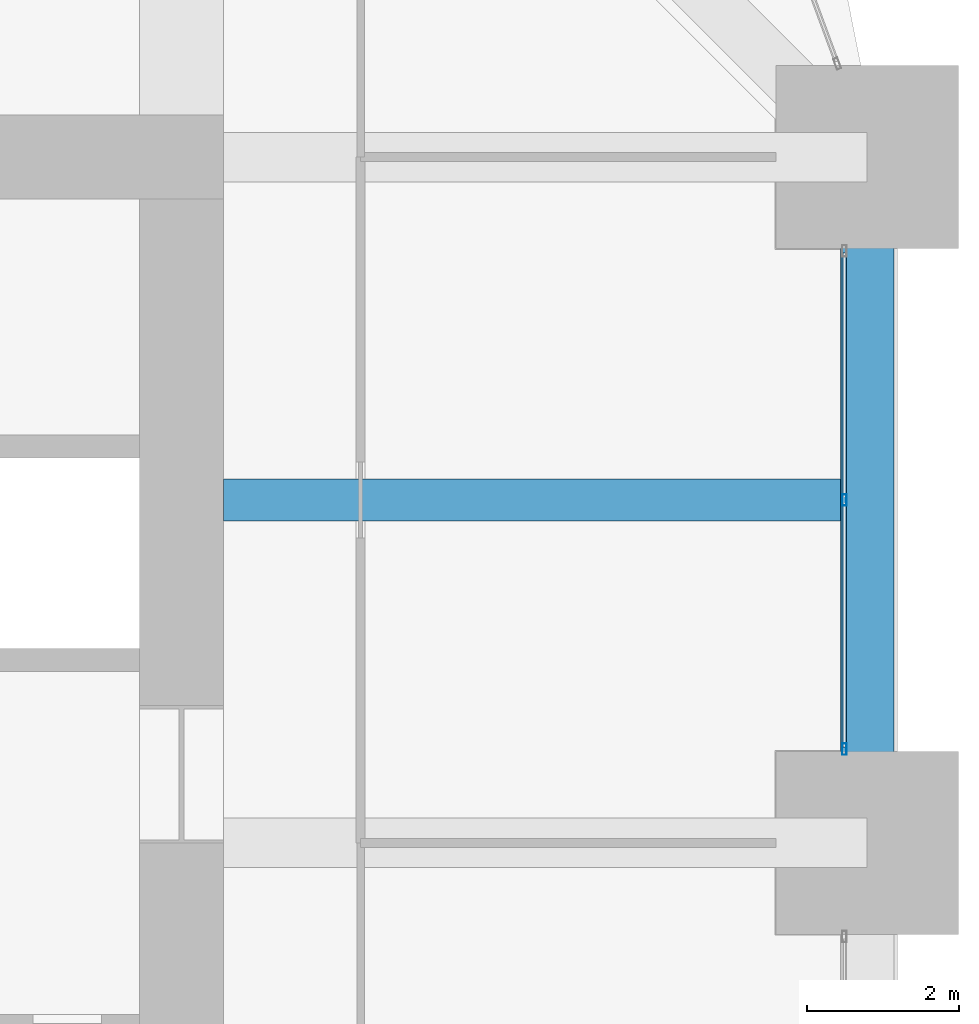
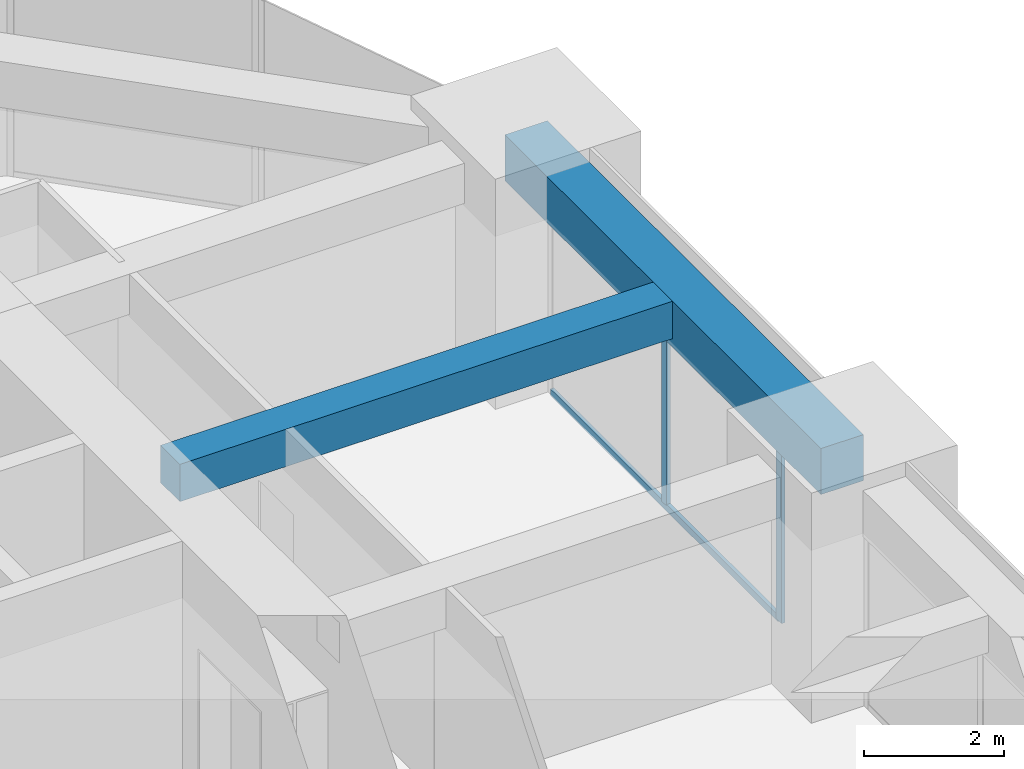
# One storey, part 19 of 32: 3 members, 2 beams, 1 element without a shape of its own.
"""IFC4 building model written with IfcOpenShell, lengths in metres."""

import ifcopenshell
import ifcopenshell.guid

model = None  # the IFC model being written
_history = None  # IfcOwnerHistory: only IFC2X3 demands one
_inside = {}  # id of a spatial element -> (the spatial element, [elements in it])
_under = {}  # id of a project, library or spatial element -> (it, [spatial elements below it])
_declared = {}  # id of a project -> (the project, [libraries it declares])
_typed = {}  # id of a type object -> (the type object, [elements of that type])
_made_of = {}  # id of a material, layer set ... -> (it, [elements and type objects made of it])


def new_model(schema):
    """Start an empty IFC model of exactly this schema.

    Asked for "IFC4X3", IfcOpenShell would pick the latest addendum, in which some entities
    have other attributes; the version numbers below select the first issue.
    IFC2X3 requires an IfcOwnerHistory on every rooted entity: one is made here for all.
    """
    global model, _history
    if schema == "IFC4X3":
        model = ifcopenshell.file(schema_version=(4, 3, 0, 0))
    else:
        model = ifcopenshell.file(schema=schema)
    _inside.clear()
    _under.clear()
    _declared.clear()
    _typed.clear()
    _made_of.clear()
    _history = None
    if model.schema == "IFC2X3":
        org = make("IfcOrganization", Name="unknown")
        user = make(
            "IfcPersonAndOrganization",
            ThePerson=make("IfcPerson", FamilyName="unknown"),
            TheOrganization=org,
        )
        app = make(
            "IfcApplication",
            ApplicationDeveloper=org,
            Version="unknown",
            ApplicationFullName="unknown",
            ApplicationIdentifier="unknown",
        )
        _history = make(
            "IfcOwnerHistory",
            OwningUser=user,
            OwningApplication=app,
            ChangeAction="ADDED",
            CreationDate=0,
        )
    return model


def make(cls, **values):
    """One entity of the class cls with the attributes given. An attribute that is None is left unset."""
    return model.create_entity(
        cls, **{name: value for name, value in values.items() if value is not None}
    )


def rooted(cls, **values):
    """An entity with a GlobalId (a new one), such as an element, a storey or a relation."""
    return make(cls, GlobalId=ifcopenshell.guid.new(), OwnerHistory=_history, **values)


def si_unit(unit_type, name, prefix=None):
    """IfcSIUnit, for example si_unit("LENGTHUNIT", "METRE", prefix="MILLI")."""
    return make("IfcSIUnit", UnitType=unit_type, Prefix=prefix, Name=name)


def assignment(units):
    """IfcUnitAssignment: the units of a project."""
    return None if units is None else make("IfcUnitAssignment", Units=units)


def point(xyz):
    """IfcCartesianPoint."""
    return None if xyz is None else make("IfcCartesianPoint", Coordinates=xyz)


def direction(xyz):
    """IfcDirection."""
    return None if xyz is None else make("IfcDirection", DirectionRatios=xyz)


def frame(location, z_axis=None, x_axis=None):
    """IfcAxis2Placement3D, a coordinate frame: its origin and axes. An axis left out is left unset."""
    return make(
        "IfcAxis2Placement3D",
        Location=point(location),
        Axis=direction(z_axis),
        RefDirection=direction(x_axis),
    )


def frame_2d(location, x_axis=None):
    """IfcAxis2Placement2D, a coordinate frame in the plane: its origin and x axis."""
    return make(
        "IfcAxis2Placement2D", Location=point(location), RefDirection=direction(x_axis)
    )


def origin():
    """The frame at (0, 0, 0) with its axes left unset."""
    return frame((0.0, 0.0, 0.0))


def origin_2d():
    """The frame at (0, 0) in the plane with its x axis left unset."""
    return frame_2d((0.0, 0.0))


def place(relative_to, where):
    """IfcLocalPlacement: puts the frame where relative to a parent placement (None: the world)."""
    return make(
        "IfcLocalPlacement", PlacementRelTo=relative_to, RelativePlacement=where
    )


def context(
    kind, dimensions, precision=None, world=None, true_north=None, identifier=None
):
    """IfcGeometricRepresentationContext, for example the 3D "Model" context."""
    return make(
        "IfcGeometricRepresentationContext",
        ContextIdentifier=identifier,
        ContextType=kind,
        CoordinateSpaceDimension=dimensions,
        Precision=precision,
        WorldCoordinateSystem=world,
        TrueNorth=true_north,
    )


def subcontext(parent, identifier, kind, view, scale=None):
    """IfcGeometricRepresentationSubContext, for example "Body" below "Model"."""
    return make(
        "IfcGeometricRepresentationSubContext",
        ContextIdentifier=identifier,
        ContextType=kind,
        ParentContext=parent,
        TargetScale=scale,
        TargetView=view,
    )


def project(units=None, contexts=None):
    """IfcProject with its units and contexts."""
    return rooted(
        "IfcProject",
        Name="project",
        RepresentationContexts=contexts,
        UnitsInContext=assignment(units),
    )


def spatial(cls, under=None, at=None, **own):
    """A site, building, storey or space (cls), placed at a placement, below another one or the project."""
    s = rooted(cls, ObjectPlacement=at, **own)
    if under is not None:
        _under.setdefault(under.id(), (under, []))[1].append(s)
    return s


def profile(cls, at=None, kind="AREA", **sizes):
    """A parametric profile (cls). Its sizes go by their IFC names, for example OverallWidth=200.0."""
    return make(cls, ProfileType=kind, Position=at, **sizes)


def rectangle(**sizes):
    """IfcRectangleProfileDef."""
    return profile("IfcRectangleProfileDef", **sizes)


def hollow_rectangle(**sizes):
    """IfcRectangleHollowProfileDef."""
    return profile("IfcRectangleHollowProfileDef", **sizes)


def extrude(swept, where, along, depth):
    """IfcExtrudedAreaSolid: the profile swept, set in the frame where, extruded along a direction by depth."""
    return make(
        "IfcExtrudedAreaSolid",
        SweptArea=swept,
        Position=where,
        ExtrudedDirection=direction(along),
        Depth=depth,
    )


def shape(context_of_items, identifier, shape_type, items):
    """IfcShapeRepresentation: the items that make up one representation, for example the "Body"."""
    return make(
        "IfcShapeRepresentation",
        ContextOfItems=context_of_items,
        RepresentationIdentifier=identifier,
        RepresentationType=shape_type,
        Items=items,
    )


def material(Name=None, Category=None):
    """IfcMaterial."""
    return make("IfcMaterial", Name=Name, Category=Category)


def material_profile(
    of_material, cross_section, Name=None, Category=None, Priority=None
):
    """IfcMaterialProfile: a cross section and its material."""
    return make(
        "IfcMaterialProfile",
        Name=Name,
        Material=of_material,
        Profile=cross_section,
        Priority=Priority,
        Category=Category,
    )


def profile_set(profiles, Name=None, composite=None):
    """IfcMaterialProfileSet."""
    return make(
        "IfcMaterialProfileSet",
        Name=Name,
        MaterialProfiles=profiles,
        CompositeProfile=composite,
    )


def made_of(thing, what):
    """Note that an element or type object is made of a material, layer set ...; save() writes the relation."""
    if what is not None:
        _made_of.setdefault(what.id(), (what, []))[1].append(thing)
    return thing


def type_object(cls, material=None, **own):
    """A type object (cls), such as IfcWallType, which elements share."""
    return made_of(rooted(cls, **own), material)


def element(
    cls,
    number,
    at=None,
    inside=None,
    cuts=None,
    type_object=None,
    material=None,
    context=None,
    identifier="Body",
    shape_type=None,
    held_by="IfcProductDefinitionShape",
    body=None,
    shapes=None,
    **own,
):
    """One element of the class cls, such as IfcWall. Its Tag is "e" and its number.

    at: its placement. inside: the storey or other place that contains it. cuts: it is an
    opening in that element (IfcRelVoidsElement). A single representation is given by context,
    identifier, shape_type and body (its items); several are given by shapes. held_by: the class
    of the entity that holds the representations. save() writes the other relations.
    """
    e = rooted(cls, Tag="e%d" % number, ObjectPlacement=at, **own)
    if body is not None:
        shapes = [shape(context, identifier, shape_type, body)]
    if shapes is not None:
        e.Representation = make(held_by, Representations=shapes)
    if inside is not None:
        _inside.setdefault(inside.id(), (inside, []))[1].append(e)
    if cuts is not None:
        rooted(
            "IfcRelVoidsElement", RelatingBuildingElement=cuts, RelatedOpeningElement=e
        )
    if type_object is not None:
        _typed.setdefault(type_object.id(), (type_object, []))[1].append(e)
    return made_of(e, material)


def aggregate(whole, parts):
    """IfcRelAggregates: a whole, such as a stair, and the parts it consists of."""
    return rooted("IfcRelAggregates", RelatingObject=whole, RelatedObjects=parts)


def save(model, path):
    """Write the relations noted so far, then the file.

    IfcRelAggregates (storeys below a building ...), IfcRelContainedInSpatialStructure (elements
    in a storey), IfcRelDefinesByType, IfcRelAssociatesMaterial and IfcRelDeclares: one each for
    every whole, place, type object, material and project.
    """
    for whole, parts in _under.values():
        aggregate(whole, parts)
    for where, things in _inside.values():
        rooted(
            "IfcRelContainedInSpatialStructure",
            RelatedElements=things,
            RelatingStructure=where,
        )
    for kind, things in _typed.values():
        rooted("IfcRelDefinesByType", RelatedObjects=things, RelatingType=kind)
    for what, things in _made_of.values():
        rooted("IfcRelAssociatesMaterial", RelatedObjects=things, RelatingMaterial=what)
    for by, libraries in _declared.values():
        rooted("IfcRelDeclares", RelatingContext=by, RelatedDefinitions=libraries)
    model.write(path)


model = new_model("IFC4")

# Units and contexts
model_context = context("Model", 3, precision=1e-05, world=origin(), true_north=direction((0.0, 1.0)))
body_context = subcontext(model_context, "Body", "Model", "MODEL_VIEW")
ifc_project = project(units=[si_unit("LENGTHUNIT", "METRE"), si_unit("AREAUNIT", "SQUARE_METRE"), si_unit("VOLUMEUNIT", "CUBIC_METRE"), si_unit("PLANEANGLEUNIT", "RADIAN"), si_unit("MASSUNIT", "GRAM", prefix="KILO")], contexts=[model_context])

# Site, building, storey
site_placement = place(None, origin())
site = spatial("IfcSite", under=ifc_project, at=site_placement, CompositionType="ELEMENT")
building_placement = place(site_placement, origin())
building = spatial("IfcBuilding", under=site, at=building_placement, Name="Zorevar Civic Tower", CompositionType="ELEMENT")
storey_placement = place(building_placement, frame((0.0, 0.0, 202.199951171875)))
storey = spatial("IfcBuildingStorey", under=building, at=storey_placement, Name="L49", CompositionType="ELEMENT", Elevation=202.199951171875)

# Beam
ifc_material_1 = material(Name="Concrete C50/60", Category="concrete")
ifc_material_profile_1 = material_profile(ifc_material_1, rectangle(XDim=0.550048828125, YDim=0.64990234375, at=origin_2d()), Name="RC 550x650")
ifc_profile_set_1 = profile_set([ifc_material_profile_1], Name="Concrete C50/60")
beam_type_1 = type_object("IfcBeamType", Name="Beam RC 550x650", PredefinedType="BEAM", material=ifc_profile_set_1)
beam_1_placement = place(storey_placement, frame((45.550048828125, 31.5, 3.425048828125), z_axis=(1.0, 0.0, 0.0), x_axis=(0.0, 1.0, 0.0)))
element("IfcBeam", 1, at=beam_1_placement, inside=storey, type_object=beam_type_1, Name="Secondary beam L50", PredefinedType="BEAM", context=body_context, shape_type="SweptSolid", body=[
    extrude(rectangle(XDim=0.550048828125, YDim=0.64990234375, at=origin_2d()), origin(), (0.0, 0.0, 1.0), 8.099853515625),
])

# Curtain wall, members
ifc_material_2 = material(Name="Dark grey solar-control glass in black aluminium frame", Category="aluminium")
curtain_wall_type = type_object("IfcCurtainWallType", Name="Curtain wall CW4 high zone", PredefinedType="NOTDEFINED", material=ifc_material_2)
curtain_wall_placement = place(storey_placement, origin())
curtain_wall = element("IfcCurtainWall", 2, at=curtain_wall_placement, inside=storey, type_object=curtain_wall_type, Name="CW4 L49", PredefinedType="NOTDEFINED")
ifc_material_3 = material(Name="Aluminium, black anodised", Category="aluminium")
ifc_material_profile_2 = material_profile(ifc_material_3, hollow_rectangle(XDim=0.06005859375, YDim=0.14990234375, WallThickness=0.00390625, at=origin_2d()), Name="AL 150x60x4")
ifc_profile_set_2 = profile_set([ifc_material_profile_2], Name="Aluminium, black anodised")
member_type_1 = type_object("IfcMemberType", Name="CW4 mullion AL 150x60x4", PredefinedType="MULLION", material=ifc_profile_set_2)
member_1_placement = place(storey_placement, frame((53.699951171875, 28.22998046875, 0.0), z_axis=(0.0, 0.0, 1.0), x_axis=(-1.0, 0.0, 0.0)))
member_1 = element("IfcMember", 3, at=member_1_placement, type_object=member_type_1, Name="CW4 mullion 1", PredefinedType="MULLION", context=body_context, shape_type="SweptSolid", body=[
    extrude(hollow_rectangle(XDim=0.06005859375, YDim=0.14990234375, WallThickness=0.00390625, at=origin_2d()), origin(), (0.0, 0.0, 1.0), 2.949951171875),
])
member_2_placement = place(storey_placement, frame((53.699951171875, 31.5, 0.06005859375), z_axis=(0.0, 0.0, 1.0), x_axis=(-1.0, 0.0, 0.0)))
member_2 = element("IfcMember", 4, at=member_2_placement, type_object=member_type_1, Name="CW4 mullion 2", PredefinedType="MULLION", context=body_context, shape_type="SweptSolid", body=[
    extrude(hollow_rectangle(XDim=0.06005859375, YDim=0.14990234375, WallThickness=0.00390625, at=origin_2d()), origin(), (0.0, 0.0, 1.0), 2.889892578125),
])
ifc_material_4 = material(Name="Aluminium, black anodised", Category="aluminium")
ifc_material_profile_3 = material_profile(ifc_material_4, hollow_rectangle(XDim=0.06005859375, YDim=0.1201171875, WallThickness=0.0029296875, at=origin_2d()), Name="AL 120x60x3")
ifc_profile_set_3 = profile_set([ifc_material_profile_3], Name="Aluminium, black anodised")
member_type_2 = type_object("IfcMemberType", Name="CW4 transom AL 120x60x3", PredefinedType="USERDEFINED", material=ifc_profile_set_3)
member_3_placement = place(storey_placement, frame((53.699951171875, 28.260009765625, 0.030029296875), z_axis=(0.0, 1.0, 0.0), x_axis=(-1.0, 0.0, 0.0)))
member_3 = element("IfcMember", 5, at=member_3_placement, type_object=member_type_2, Name="CW4 sill transom", ObjectType="TRANSOM", PredefinedType="USERDEFINED", context=body_context, shape_type="SweptSolid", body=[
    extrude(hollow_rectangle(XDim=0.06005859375, YDim=0.1201171875, WallThickness=0.0029296875, at=origin_2d()), origin(), (0.0, 0.0, 1.0), 6.47998046875),
])
aggregate(curtain_wall, [member_1, member_2, member_3])

# Beam
ifc_material_5 = material(Name="Concrete C50/60", Category="concrete")
ifc_material_profile_4 = material_profile(ifc_material_5, rectangle(XDim=0.699951171875, YDim=0.800048828125, at=origin_2d()), Name="RC 700x800")
ifc_profile_set_4 = profile_set([ifc_material_profile_4], Name="Concrete C50/60")
beam_type_2 = type_object("IfcBeamType", Name="Edge beam RC 700x800", PredefinedType="SPANDREL", material=ifc_profile_set_4)
beam_2_placement = place(storey_placement, frame((54.0, 27.0, 3.35009765625), z_axis=(0.0, 1.0, 0.0), x_axis=(-1.0, 0.0, 0.0)))
element("IfcBeam", 6, at=beam_2_placement, inside=storey, type_object=beam_type_2, Name="Edge beam L50", PredefinedType="SPANDREL", context=body_context, shape_type="SweptSolid", body=[
    extrude(rectangle(XDim=0.699951171875, YDim=0.800048828125, at=origin_2d()), origin(), (0.0, 0.0, 1.0), 9.0),
])

save(model, "model.ifc")
